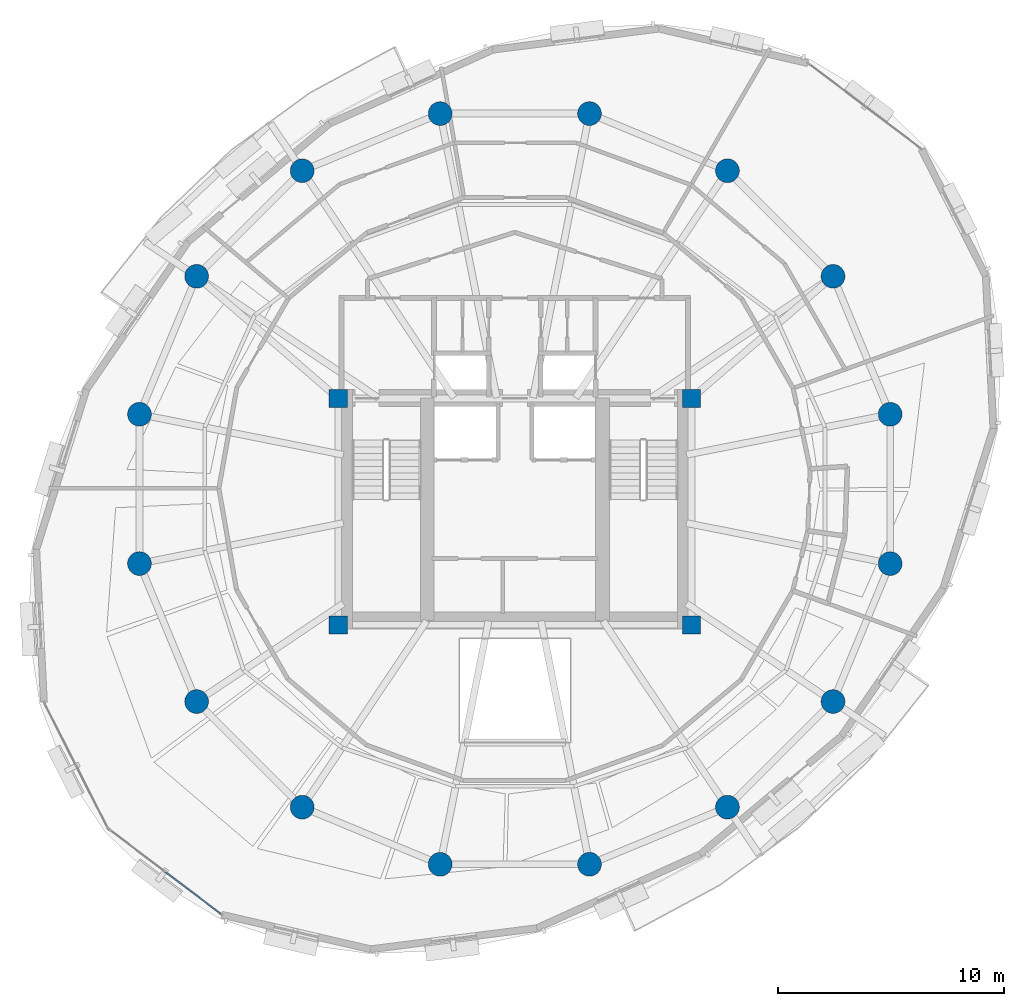
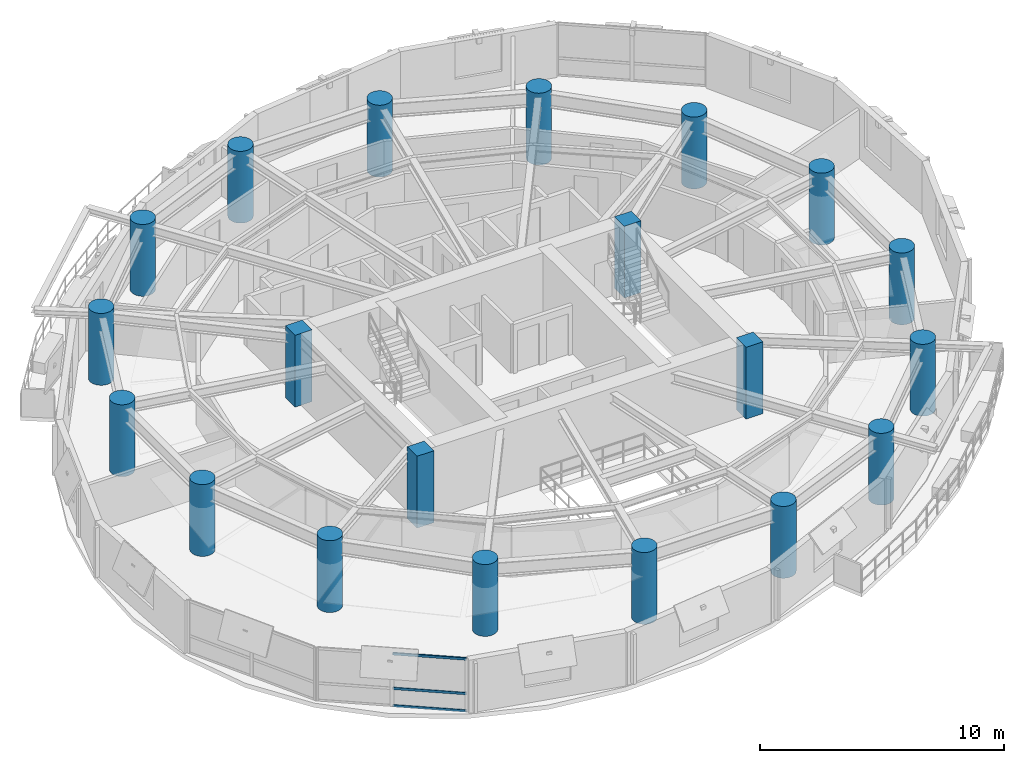
# One storey, part 1 of 12: 20 columns, 3 members, 1 element without a shape of its own.
"""IFC4 building model written with IfcOpenShell, lengths in metres."""

from ifc_helpers import new_model, si_unit, direction, frame, origin, origin_2d, place, context, subcontext, project, spatial, rectangle, hollow_rectangle, circle, extrude, material, layer, layer_set, material_profile, profile_set, type_object, element, aggregate, save


model = new_model("IFC4")

# Units and contexts
model_context = context("Model", 3, precision=1e-05, world=origin(), true_north=direction((0.0, 1.0)))
body_context = subcontext(model_context, "Body", "Model", "MODEL_VIEW")
ifc_project = project(units=[si_unit("LENGTHUNIT", "METRE"), si_unit("AREAUNIT", "SQUARE_METRE"), si_unit("VOLUMEUNIT", "CUBIC_METRE"), si_unit("PLANEANGLEUNIT", "RADIAN"), si_unit("MASSUNIT", "GRAM", prefix="KILO"), si_unit("THERMODYNAMICTEMPERATUREUNIT", "KELVIN"), si_unit("POWERUNIT", "WATT")], contexts=[model_context])

# Site, building, storey
site_placement = place(None, origin())
site = spatial("IfcSite", under=ifc_project, at=site_placement, CompositionType="ELEMENT")
building_placement = place(site_placement, origin())
building = spatial("IfcBuilding", under=site, at=building_placement, Name="Ocrelia Relay Tower", CompositionType="ELEMENT")
storey_placement = place(building_placement, frame((0.0, 0.0, 198.800048828125)))
storey = spatial("IfcBuildingStorey", under=building, at=storey_placement, Name="L48", CompositionType="ELEMENT", Elevation=198.800048828125)

# Columns
ifc_material_1 = material(Name="Concrete C60/75", Category="concrete")
ifc_material_profile_1 = material_profile(ifc_material_1, circle(Radius=0.52490234375, at=origin_2d()), Name="RC-CIR-1050")
ifc_profile_set_1 = profile_set([ifc_material_profile_1], Name="Concrete C60/75")
column_type_1 = type_object("IfcColumnType", Name="COL-CT-1050", PredefinedType="COLUMN", material=ifc_profile_set_1)
for number, where, z_axis, x_axis, name in (
    (1, (50.5751953125, 29.297119140625, 0.0), (0.0, 0.0, 1.0), (1.0, 0.0, 0.0), "L48 Perimeter Ring Column C01"),
    (2, (48.0517578125, 35.38916015625, 0.0), (0.0, 0.0, 1.0), (1.0, 0.0, 0.0), "L48 Perimeter Ring Column C02"),
    (3, (43.38916015625, 40.0517578125, 0.0), (0.0, 0.0, 1.0), (1.0, 0.0, 0.0), "L48 Perimeter Ring Column C03"),
    (4, (37.297119140625, 42.5751953125, 0.0), (0.0, 0.0, 1.0), (1.0, 0.0, 0.0), "L48 Perimeter Ring Column C04"),
    (5, (30.702880859375, 42.5751953125, 0.0), (0.0, 0.0, 1.0), (1.0, 0.0, 0.0), "L48 Perimeter Ring Column C05"),
    (6, (24.61083984375, 40.0517578125, 0.0), (0.0, 0.0, 1.0), (1.0, 0.0, 0.0), "L48 Perimeter Ring Column C06"),
    (7, (19.9482421875, 35.38916015625, 0.0), (0.0, 0.0, 1.0), (1.0, 0.0, 0.0), "L48 Perimeter Ring Column C07"),
    (8, (17.4248046875, 29.297119140625, 0.0), (0.0, 0.0, 1.0), (1.0, 0.0, 0.0), "L48 Perimeter Ring Column C08"),
    (9, (17.4248046875, 22.702880859375, 0.0), (0.0, 0.0, 1.0), (1.0, 0.0, 0.0), "L48 Perimeter Ring Column C09"),
    (10, (19.9482421875, 16.61083984375, 0.0), (0.0, 0.0, 1.0), (1.0, 0.0, 0.0), "L48 Perimeter Ring Column C10"),
    (11, (24.61083984375, 11.9482421875, 0.0), (0.0, 0.0, 1.0), (1.0, 0.0, 0.0), "L48 Perimeter Ring Column C11"),
    (12, (30.702880859375, 9.4248046875, 0.0), (0.0, 0.0, 1.0), (1.0, 0.0, 0.0), "L48 Perimeter Ring Column C12"),
    (13, (37.297119140625, 9.4248046875, 0.0), (0.0, 0.0, 1.0), (1.0, 0.0, 0.0), "L48 Perimeter Ring Column C13"),
    (14, (43.38916015625, 11.9482421875, 0.0), (0.0, 0.0, 1.0), (1.0, 0.0, 0.0), "L48 Perimeter Ring Column C14"),
    (15, (48.0517578125, 16.61083984375, 0.0), (0.0, 0.0, 1.0), (1.0, 0.0, 0.0), "L48 Perimeter Ring Column C15"),
    (16, (50.5751953125, 22.702880859375, 0.0), (0.0, 0.0, 1.0), (1.0, 0.0, 0.0), "L48 Perimeter Ring Column C16"),
):
    element("IfcColumn", number, at=place(storey_placement, frame(where, z_axis=z_axis, x_axis=x_axis)), inside=storey, type_object=column_type_1, Name=name, PredefinedType="COLUMN", context=body_context, shape_type="SweptSolid", body=[
        extrude(circle(Radius=0.52490234375, at=origin_2d()), origin(), (0.0, 0.0, 1.0), 3.599853515625),
    ])
ifc_material_profile_2 = material_profile(ifc_material_1, rectangle(XDim=0.800048828125, YDim=0.800048828125, at=origin_2d()), Name="RC-COL-800x800")
ifc_profile_set_2 = profile_set([ifc_material_profile_2], Name="Concrete C60/75")
column_type_2 = type_object("IfcColumnType", Name="COL-PILASTER-800", PredefinedType="PILASTER", material=ifc_profile_set_2)
for number, where, z_axis, x_axis, name in (
    (17, (26.199951171875, 20.0, 0.0), (0.0, 0.0, 1.0), (1.0, 0.0, 0.0), "L48 Core Corner Pilaster SW"),
    (18, (41.800048828125, 20.0, 0.0), (0.0, 0.0, 1.0), (1.0, 0.0, 0.0), "L48 Core Corner Pilaster SE"),
    (19, (26.199951171875, 30.0, 0.0), (0.0, 0.0, 1.0), (1.0, 0.0, 0.0), "L48 Core Corner Pilaster NW"),
    (20, (41.800048828125, 30.0, 0.0), (0.0, 0.0, 1.0), (1.0, 0.0, 0.0), "L48 Core Corner Pilaster NE"),
):
    element("IfcColumn", number, at=place(storey_placement, frame(where, z_axis=z_axis, x_axis=x_axis)), inside=storey, type_object=column_type_2, Name=name, PredefinedType="PILASTER", context=body_context, shape_type="SweptSolid", body=[
        extrude(rectangle(XDim=0.800048828125, YDim=0.800048828125, at=origin_2d()), origin(), (0.0, 0.0, 1.0), 3.599853515625),
    ])

# Curtain wall, members
ifc_material_2 = material(Name="Aluminium and solar-control low-E glass", Category="aluminium")
ifc_layer = layer(ifc_material_2, 0.179931640625, Name="Aluminium and solar-control low-E glass")
ifc_layer_set = layer_set([ifc_layer], Name="Aluminium and solar-control low-E glass")
curtain_wall_type = type_object("IfcCurtainWallType", Name="CW-SYS-Z3-CLOU", PredefinedType="NOTDEFINED", material=ifc_layer_set)
curtain_wall_placement = place(storey_placement, origin())
curtain_wall = element("IfcCurtainWall", 21, at=curtain_wall_placement, inside=storey, type_object=curtain_wall_type, Name="L48 Elliptical Tower Curtain Wall Bay 10", PredefinedType="NOTDEFINED")
ifc_material_3 = material(Name="Anodised bronze aluminium", Category="aluminium")
ifc_material_profile_3 = material_profile(ifc_material_3, hollow_rectangle(XDim=0.06005859375, YDim=0.1201171875, WallThickness=0.0048828125, at=origin_2d()), Name="CW-TRN-120x60")
ifc_profile_set_3 = profile_set([ifc_material_profile_3], Name="Anodised bronze aluminium")
member_type = type_object("IfcMemberType", Name="CW-SYS-Z3-CLOU-TRN", PredefinedType="USERDEFINED", material=ifc_profile_set_3)
member_1_placement = place(storey_placement, frame((18.5791015625, 9.07470703125, 0.030029296875), z_axis=(0.797364658258, -0.603497805929, 0.0), x_axis=(0.603497805929, 0.797364658258, 0.0)))
member_1 = element("IfcMember", 22, at=member_1_placement, type_object=member_type, Name="CW-Z3 transom 2.1", ObjectType="TRANSOM", PredefinedType="USERDEFINED", context=body_context, shape_type="SweptSolid", body=[
    extrude(hollow_rectangle(XDim=0.06005859375, YDim=0.1201171875, WallThickness=0.0048828125, at=origin_2d()), origin(), (0.0, 0.0, 1.0), 3.043701171875),
])
member_2_placement = place(storey_placement, frame((18.5791015625, 9.07470703125, 0.89990234375), z_axis=(0.797364658258, -0.603497805929, 0.0), x_axis=(0.603497805929, 0.797364658258, 0.0)))
member_2 = element("IfcMember", 23, at=member_2_placement, type_object=member_type, Name="CW-Z3 transom 2.2", ObjectType="TRANSOM", PredefinedType="USERDEFINED", context=body_context, shape_type="SweptSolid", body=[
    extrude(hollow_rectangle(XDim=0.06005859375, YDim=0.1201171875, WallThickness=0.0048828125, at=origin_2d()), origin(), (0.0, 0.0, 1.0), 3.043701171875),
])
member_3_placement = place(storey_placement, frame((18.5791015625, 9.07470703125, 2.6298828125), z_axis=(0.797364658258, -0.603497805929, 0.0), x_axis=(0.603497805929, 0.797364658258, 0.0)))
member_3 = element("IfcMember", 24, at=member_3_placement, type_object=member_type, Name="CW-Z3 transom 2.3", ObjectType="TRANSOM", PredefinedType="USERDEFINED", context=body_context, shape_type="SweptSolid", body=[
    extrude(hollow_rectangle(XDim=0.06005859375, YDim=0.1201171875, WallThickness=0.0048828125, at=origin_2d()), origin(), (0.0, 0.0, 1.0), 3.043701171875),
])
aggregate(curtain_wall, [member_1, member_2, member_3])

save(model, "model.ifc")
